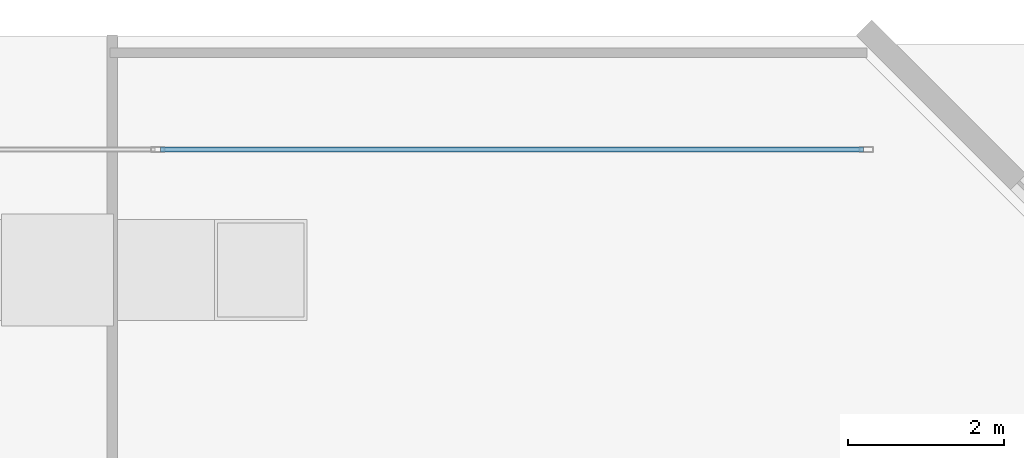
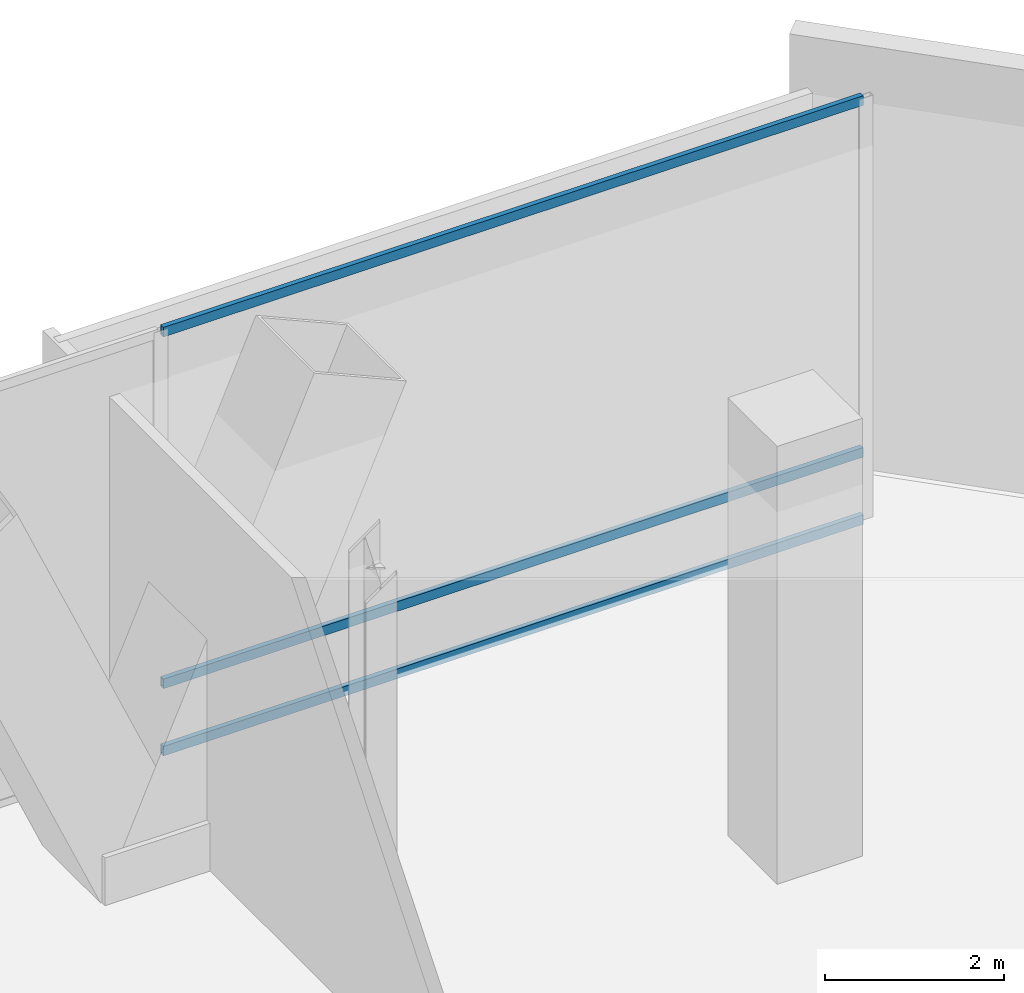
# One storey, part 22 of 40: 3 members, 1 element without a shape of its own.
"""IFC4 building model written with IfcOpenShell, lengths in metres."""

from ifc_helpers import new_model, si_unit, direction, frame, origin, origin_2d, place, context, subcontext, project, spatial, hollow_rectangle, extrude, material, layer, layer_set, material_profile, profile_set, type_object, element, aggregate, save


model = new_model("IFC4")

# Units and contexts
model_context = context("Model", 3, precision=1e-05, world=origin(), true_north=direction((0.0, 1.0)))
body_context = subcontext(model_context, "Body", "Model", "MODEL_VIEW")
ifc_project = project(units=[si_unit("LENGTHUNIT", "METRE"), si_unit("AREAUNIT", "SQUARE_METRE"), si_unit("VOLUMEUNIT", "CUBIC_METRE"), si_unit("PLANEANGLEUNIT", "RADIAN"), si_unit("MASSUNIT", "GRAM", prefix="KILO")], contexts=[model_context])

# Site, building, storey
site_placement = place(None, origin())
site = spatial("IfcSite", under=ifc_project, at=site_placement, CompositionType="ELEMENT")
building_placement = place(site_placement, origin())
building = spatial("IfcBuilding", under=site, at=building_placement, Name="Qianvela Tower", CompositionType="ELEMENT")
storey_placement = place(building_placement, origin())
storey = spatial("IfcBuildingStorey", under=building, at=storey_placement, Name="L00", CompositionType="ELEMENT", Elevation=0.0)

# Curtain wall, members
ifc_material_1 = material(Name="Anodised Architectural Aluminium and Low-E Glass", Category="aluminium")
ifc_layer = layer(ifc_material_1, 0.199951171875)
ifc_layer_set = layer_set([ifc_layer], Name="Anodised Architectural Aluminium and Low-E Glass")
curtain_wall_type = type_object("IfcCurtainWallType", Name="CW-CONCOURSE", PredefinedType="USERDEFINED", material=ifc_layer_set)
curtain_wall_placement = place(storey_placement, origin())
curtain_wall = element("IfcCurtainWall", 1, at=curtain_wall_placement, inside=storey, type_object=curtain_wall_type, Name="L00 CW-CONCOURSE Curtain Wall 05A", ObjectType="CURTAIN_WALL_SYSTEM", PredefinedType="USERDEFINED")
ifc_material_2 = material(Name="Anodised Architectural Aluminium 6063-T6", Category="aluminium")
ifc_material_profile = material_profile(ifc_material_2, hollow_rectangle(XDim=0.06494140625, YDim=0.1298828125, WallThickness=0.00439453125, at=origin_2d()), Name="ALU-TRAN-65x130")
ifc_profile_set = profile_set([ifc_material_profile], Name="Anodised Architectural Aluminium 6063-T6")
member_type = type_object("IfcMemberType", Name="CW-CONCOURSE-TRAN", PredefinedType="USERDEFINED", material=ifc_profile_set)
member_1_placement = place(storey_placement, frame((68.8798828125, 49.050048828125, 0.032470703125), z_axis=(-1.0, 0.0, 0.0), x_axis=(0.0, -1.0, 0.0)))
member_1 = element("IfcMember", 2, at=member_1_placement, type_object=member_type, Name="CW-1 transom 1.1", ObjectType="TRANSOM", PredefinedType="USERDEFINED", context=body_context, shape_type="SweptSolid", body=[
    extrude(hollow_rectangle(XDim=0.06494140625, YDim=0.1298828125, WallThickness=0.00439453125, at=origin_2d()), origin(), (0.0, 0.0, 1.0), 9.0283203125),
])
member_2_placement = place(storey_placement, frame((68.8798828125, 49.050048828125, 0.949951171875), z_axis=(-1.0, 0.0, 0.0), x_axis=(0.0, -1.0, 0.0)))
member_2 = element("IfcMember", 3, at=member_2_placement, type_object=member_type, Name="CW-1 transom 1.2", ObjectType="TRANSOM", PredefinedType="USERDEFINED", context=body_context, shape_type="SweptSolid", body=[
    extrude(hollow_rectangle(XDim=0.06494140625, YDim=0.1298828125, WallThickness=0.00439453125, at=origin_2d()), origin(), (0.0, 0.0, 1.0), 9.0283203125),
])
member_3_placement = place(storey_placement, frame((68.8798828125, 49.050048828125, 5.74755859375), z_axis=(-1.0, 0.0, 0.0), x_axis=(0.0, -1.0, 0.0)))
member_3 = element("IfcMember", 4, at=member_3_placement, type_object=member_type, Name="CW-1 transom 1.3", ObjectType="TRANSOM", PredefinedType="USERDEFINED", context=body_context, shape_type="SweptSolid", body=[
    extrude(hollow_rectangle(XDim=0.06494140625, YDim=0.1298828125, WallThickness=0.00439453125, at=origin_2d()), origin(), (0.0, 0.0, 1.0), 9.0283203125),
])
aggregate(curtain_wall, [member_1, member_2, member_3])

save(model, "model.ifc")
